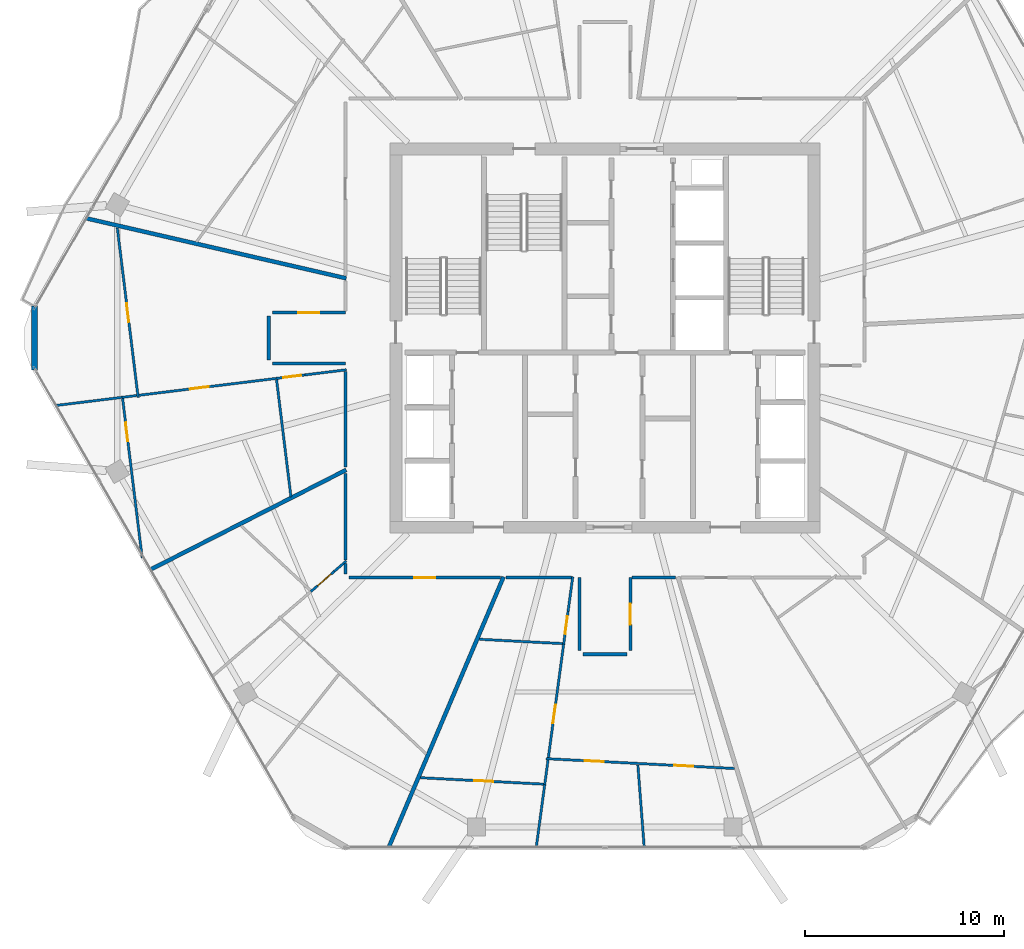
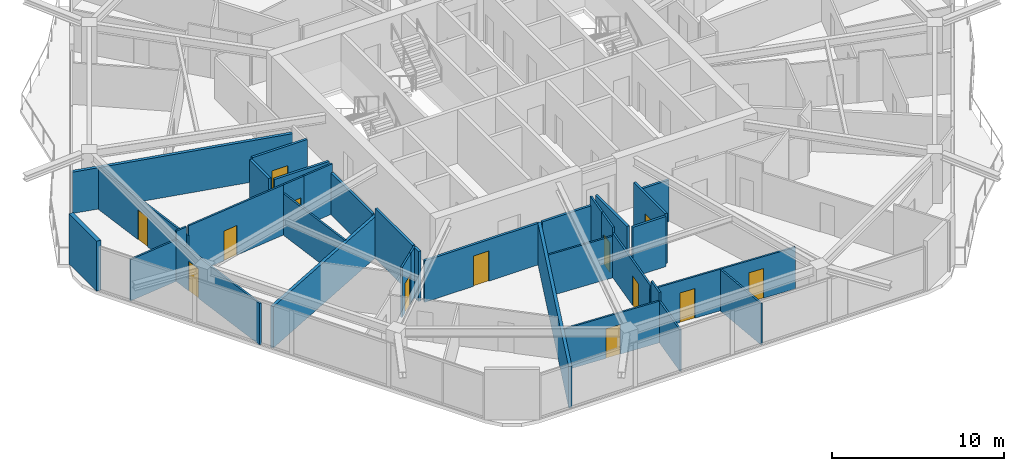
# One storey, part 18 of 25: 35 walls, 13 doors, 13 openings.
"""IFC4 building model written with IfcOpenShell, lengths in metres."""

from ifc_helpers import new_model, si_unit, direction, frame, frame_2d, origin, place, context, subcontext, project, spatial, rectangle, extrude, material, layer, layer_set, type_object, element, fill, save


model = new_model("IFC4")

# Units and contexts
model_context = context("Model", 3, precision=1e-05, world=origin(), true_north=direction((0.0, 1.0)))
body_context = subcontext(model_context, "Body", "Model", "MODEL_VIEW")
ifc_project = project(units=[si_unit("LENGTHUNIT", "METRE"), si_unit("AREAUNIT", "SQUARE_METRE"), si_unit("VOLUMEUNIT", "CUBIC_METRE"), si_unit("PLANEANGLEUNIT", "RADIAN"), si_unit("MASSUNIT", "GRAM", prefix="KILO")], contexts=[model_context])

# Site, building, storey
site_placement = place(None, origin())
site = spatial("IfcSite", under=ifc_project, at=site_placement, CompositionType="ELEMENT")
building_placement = place(site_placement, origin())
building = spatial("IfcBuilding", under=site, at=building_placement, Name="Zuhravey Tower", CompositionType="ELEMENT")
storey_placement = place(building_placement, frame((0.0, 0.0, 257.800048828125)))
storey = spatial("IfcBuildingStorey", under=building, at=storey_placement, Name="L65", CompositionType="ELEMENT", Elevation=257.800048828125)

# Wall, opening, door
ifc_material_1 = material(Name="Gypsum fire-rated stud partition")
ifc_layer_1 = layer(ifc_material_1, 0.159912109375)
ifc_layer_set_1 = layer_set([ifc_layer_1], Name="Gypsum fire-rated stud partition")
wall_type_1 = type_object("IfcWallType", Name="Corridor Fire Partition 160", PredefinedType="PARTITIONING", material=ifc_layer_set_1)
wall_1_placement = place(storey_placement, frame((22.969970703125, 33.280029296875, 0.0), z_axis=(0.0, 0.0, 1.0), x_axis=(-1.0, 0.0, 0.0)))
wall_1 = element("IfcWall", 1, at=wall_1_placement, inside=storey, type_object=wall_type_1, Name="L65 IW16 Partition 030", PredefinedType="PARTITIONING", context=body_context, shape_type="SweptSolid", body=[
    extrude(rectangle(XDim=3.669921875, YDim=0.159912109375, at=frame_2d((1.8349609375, 0.0))), origin(), (0.0, 0.0, 1.0), 3.550048828125),
])
opening_1_placement = place(wall_1_placement, frame((1.31005859375, 0.0, 0.0)))
opening_1 = element("IfcOpeningElement", 2, at=opening_1_placement, cuts=wall_1, Name="Opening APD1", PredefinedType="OPENING", context=body_context, shape_type="SweptSolid", body=[
    extrude(rectangle(XDim=1.050048828125, YDim=2.14990234375, at=frame_2d((0.52490234375, 1.074951171875))), frame((0.0, 0.092041015625, 0.0), z_axis=(0.0, -1.0, 0.0), x_axis=(1.0, 0.0, 0.0)), (0.0, 0.0, 1.0), 0.183837890625),
])
ifc_material_2 = material(Name="Solid-core oak fire-rated leaf")
door_type_1 = type_object("IfcDoorType", Name="Apartment Entrance Fire Door 1050x2150", OperationType="NOTDEFINED", PredefinedType="DOOR", material=ifc_material_2)
door_1_placement = place(opening_1_placement, origin())
door_1 = element("IfcDoor", 3, at=door_1_placement, inside=storey, type_object=door_type_1, Name="L65 Door 030.1", OperationType="SINGLE_SWING_RIGHT", OverallHeight=2.14990234375, OverallWidth=1.050048828125, PredefinedType="DOOR", context=body_context, shape_type="SweptSolid", body=[
    extrude(rectangle(XDim=1.050048828125, YDim=2.14990234375, at=frame_2d((0.52490234375, 1.074951171875))), frame((0.0, 0.02490234375, 0.0), z_axis=(0.0, -1.0, 0.0), x_axis=(1.0, 0.0, 0.0)), (0.0, 0.0, 1.0), 0.050048828125),
])
fill(opening_1, door_1)

wall_2_placement = place(storey_placement, frame((23.14990234375, 19.969970703125, 0.0), z_axis=(0.0, 0.0, 1.0), x_axis=(1.0, 0.0, 0.0)))
wall_2 = element("IfcWall", 4, at=wall_2_placement, inside=storey, type_object=wall_type_1, Name="L65 IW16 Partition 035", PredefinedType="PARTITIONING", context=body_context, shape_type="SweptSolid", body=[
    extrude(rectangle(XDim=7.597412109375, YDim=0.159912109375, at=frame_2d((3.798828125, 0.0))), origin(), (0.0, 0.0, 1.0), 2.949951171875),
])
opening_2_placement = place(wall_2_placement, frame((3.273681640625, 0.0, 0.0)))
opening_2 = element("IfcOpeningElement", 5, at=opening_2_placement, cuts=wall_2, Name="Opening APD1", PredefinedType="OPENING", context=body_context, shape_type="SweptSolid", body=[
    extrude(rectangle(XDim=1.050048828125, YDim=2.14990234375, at=frame_2d((0.52490234375, 1.074951171875))), frame((0.0, 0.092041015625, 0.0), z_axis=(0.0, -1.0, 0.0), x_axis=(1.0, 0.0, 0.0)), (0.0, 0.0, 1.0), 0.183837890625),
])
door_2_placement = place(opening_2_placement, frame((1.050048828125, 0.0, 0.0), z_axis=(0.0, 0.0, 1.0), x_axis=(-1.0, 0.0, 0.0)))
door_2 = element("IfcDoor", 6, at=door_2_placement, inside=storey, type_object=door_type_1, Name="L65 Door 035.1", OperationType="SINGLE_SWING_LEFT", OverallHeight=2.14990234375, OverallWidth=1.050048828125, PredefinedType="DOOR", context=body_context, shape_type="SweptSolid", body=[
    extrude(rectangle(XDim=1.050048828125, YDim=2.14990234375, at=frame_2d((0.52490234375, 1.074951171875))), frame((0.0, 0.02490234375, 0.0), z_axis=(0.0, -1.0, 0.0), x_axis=(1.0, 0.0, 0.0)), (0.0, 0.0, 1.0), 0.050048828125),
])
fill(opening_2, door_2)

wall_3_placement = place(storey_placement, frame((37.280029296875, 16.300048828125, 0.0), z_axis=(0.0, 0.0, 1.0), x_axis=(0.0, 1.0, 0.0)))
wall_3 = element("IfcWall", 7, at=wall_3_placement, inside=storey, type_object=wall_type_1, Name="L65 IW16 Partition 041", PredefinedType="PARTITIONING", context=body_context, shape_type="SweptSolid", body=[
    extrude(rectangle(XDim=3.669921875, YDim=0.159912109375, at=frame_2d((1.8349609375, 0.0))), origin(), (0.0, 0.0, 1.0), 3.550048828125),
])
opening_3_placement = place(wall_3_placement, frame((1.31005859375, 0.0, 0.0)))
opening_3 = element("IfcOpeningElement", 8, at=opening_3_placement, cuts=wall_3, Name="Opening APD1", PredefinedType="OPENING", context=body_context, shape_type="SweptSolid", body=[
    extrude(rectangle(XDim=1.050048828125, YDim=2.14990234375, at=frame_2d((0.52490234375, 1.074951171875))), frame((0.0, 0.092041015625, 0.0), z_axis=(0.0, -1.0, 0.0), x_axis=(1.0, 0.0, 0.0)), (0.0, 0.0, 1.0), 0.183837890625),
])
door_3_placement = place(opening_3_placement, frame((1.050048828125, 0.0, 0.0), z_axis=(0.0, 0.0, 1.0), x_axis=(-1.0, 0.0, 0.0)))
door_3 = element("IfcDoor", 9, at=door_3_placement, inside=storey, type_object=door_type_1, Name="L65 Door 041.1", OperationType="SINGLE_SWING_LEFT", OverallHeight=2.14990234375, OverallWidth=1.050048828125, PredefinedType="DOOR", context=body_context, shape_type="SweptSolid", body=[
    extrude(rectangle(XDim=1.050048828125, YDim=2.14990234375, at=frame_2d((0.52490234375, 1.074951171875))), frame((0.0, 0.02490234375, 0.0), z_axis=(0.0, -1.0, 0.0), x_axis=(1.0, 0.0, 0.0)), (0.0, 0.0, 1.0), 0.050048828125),
])
fill(opening_3, door_3)

# Walls
wall_4_placement = place(storey_placement, frame((19.300048828125, 30.719970703125, 0.0), z_axis=(0.0, 0.0, 1.0), x_axis=(1.0, 0.0, 0.0)))
element("IfcWall", 10, at=wall_4_placement, inside=storey, type_object=wall_type_1, Name="L65 IW16 Partition 105", PredefinedType="PARTITIONING", context=body_context, shape_type="SweptSolid", body=[
    extrude(rectangle(XDim=3.669921875, YDim=0.159912109375, at=frame_2d((1.8349609375, 0.0))), origin(), (0.0, 0.0, 1.0), 3.550048828125),
])
wall_5_placement = place(storey_placement, frame((19.1201171875, 33.10009765625, 0.0), z_axis=(0.0, 0.0, 1.0), x_axis=(0.0, -1.0, 0.0)))
element("IfcWall", 11, at=wall_5_placement, inside=storey, type_object=wall_type_1, Name="L65 IW16 Partition 106", PredefinedType="PARTITIONING", context=body_context, shape_type="SweptSolid", body=[
    extrude(rectangle(XDim=2.2001953125, YDim=0.159912109375, at=frame_2d((1.10009765625, 0.0))), origin(), (0.0, 0.0, 1.0), 3.550048828125),
])
wall_6_placement = place(storey_placement, frame((22.969970703125, 30.33154296875, 0.0), z_axis=(0.0, 0.0, 1.0), x_axis=(0.0, -1.0, 0.0)))
element("IfcWall", 12, at=wall_6_placement, inside=storey, type_object=wall_type_1, Name="L65 IW16 Partition 108", PredefinedType="PARTITIONING", context=body_context, shape_type="SweptSolid", body=[
    extrude(rectangle(XDim=4.8056640625, YDim=0.159912109375, at=frame_2d((2.40283203125, 0.0))), origin(), (0.0, 0.0, 1.0), 2.949951171875),
])
wall_7_placement = place(storey_placement, frame((22.969970703125, 20.678955078125, 0.0), z_axis=(0.0, 0.0, 1.0), x_axis=(0.0, -1.0, 0.0)))
element("IfcWall", 13, at=wall_7_placement, inside=storey, type_object=wall_type_1, Name="L65 IW16 Partition 109", PredefinedType="PARTITIONING", context=body_context, shape_type="SweptSolid", body=[
    extrude(rectangle(XDim=0.529052734375, YDim=0.159912109375, at=frame_2d((0.2646484375, 0.0))), origin(), (0.0, 0.0, 1.0), 3.550048828125),
])
wall_8_placement = place(storey_placement, frame((22.969970703125, 25.194580078125, 0.0), z_axis=(0.0, 0.0, 1.0), x_axis=(0.0, -1.0, 0.0)))
element("IfcWall", 14, at=wall_8_placement, inside=storey, type_object=wall_type_1, Name="L65 IW16 Partition 110", PredefinedType="PARTITIONING", context=body_context, shape_type="SweptSolid", body=[
    extrude(rectangle(XDim=4.336181640625, YDim=0.159912109375, at=frame_2d((2.16796875, 0.0))), origin(), (0.0, 0.0, 1.0), 3.550048828125),
])
wall_9_placement = place(storey_placement, frame((34.719970703125, 19.969970703125, 0.0), z_axis=(0.0, 0.0, 1.0), x_axis=(0.0, -1.0, 0.0)))
element("IfcWall", 15, at=wall_9_placement, inside=storey, type_object=wall_type_1, Name="L65 IW16 Partition 111", PredefinedType="PARTITIONING", context=body_context, shape_type="SweptSolid", body=[
    extrude(rectangle(XDim=3.669921875, YDim=0.159912109375, at=frame_2d((1.8349609375, 0.0))), origin(), (0.0, 0.0, 1.0), 3.550048828125),
])
wall_10_placement = place(storey_placement, frame((37.367919921875, 19.969970703125, 0.0), z_axis=(0.0, 0.0, 1.0), x_axis=(1.0, 0.0, 0.0)))
element("IfcWall", 16, at=wall_10_placement, inside=storey, type_object=wall_type_1, Name="L65 IW16 Partition 112", PredefinedType="PARTITIONING", context=body_context, shape_type="SweptSolid", body=[
    extrude(rectangle(XDim=2.174560546875, YDim=0.159912109375, at=frame_2d((1.08740234375, 0.0))), origin(), (0.0, 0.0, 1.0), 2.949951171875),
])
wall_11_placement = place(storey_placement, frame((34.89990234375, 16.1201171875, 0.0), z_axis=(0.0, 0.0, 1.0), x_axis=(1.0, 0.0, 0.0)))
element("IfcWall", 17, at=wall_11_placement, inside=storey, type_object=wall_type_1, Name="L65 IW16 Partition 113", PredefinedType="PARTITIONING", context=body_context, shape_type="SweptSolid", body=[
    extrude(rectangle(XDim=2.2001953125, YDim=0.159912109375, at=frame_2d((1.10009765625, 0.0))), origin(), (0.0, 0.0, 1.0), 3.550048828125),
])
wall_12_placement = place(storey_placement, frame((31.038818359375, 19.969970703125, 0.0), z_axis=(0.0, 0.0, 1.0), x_axis=(1.0, 0.0, 0.0)))
element("IfcWall", 18, at=wall_12_placement, inside=storey, type_object=wall_type_1, Name="L65 IW16 Partition 114", PredefinedType="PARTITIONING", context=body_context, shape_type="SweptSolid", body=[
    extrude(rectangle(XDim=3.270263671875, YDim=0.159912109375, at=frame_2d((1.63525390625, 0.0))), origin(), (0.0, 0.0, 1.0), 2.949951171875),
])
ifc_material_3 = material(Name="Precast concrete C40/50", Category="concrete")
ifc_layer_2 = layer(ifc_material_3, 0.280029296875)
ifc_layer_set_2 = layer_set([ifc_layer_2], Name="Precast concrete C40/50")
wall_type_2 = type_object("IfcWallType", Name="Crown Architectural Wall 280", PredefinedType="SOLIDWALL", material=ifc_layer_set_2)
wall_13_placement = place(storey_placement, frame((7.35498046875, 30.392578125, 0.0), z_axis=(0.0, 0.0, 1.0), x_axis=(0.0, 1.0, 0.0)))
element("IfcWall", 19, at=wall_13_placement, inside=storey, type_object=wall_type_2, Name="L65 Rounded Corner Closure Wall EW28-06", PredefinedType="SOLIDWALL", context=body_context, shape_type="SweptSolid", body=[
    extrude(rectangle(XDim=3.21484375, YDim=0.280029296875, at=frame_2d((1.607421875, 0.0))), origin(), (0.0, 0.0, 1.0), 3.550048828125),
])
ifc_material_4 = material(Name="Gypsum double-stud party assembly")
ifc_layer_3 = layer(ifc_material_4, 0.199951171875)
ifc_layer_set_3 = layer_set([ifc_layer_3], Name="Gypsum double-stud party assembly")
wall_type_3 = type_object("IfcWallType", Name="Inter-Tenancy Party Wall 200", PredefinedType="PARTITIONING", material=ifc_layer_set_3)
wall_14_placement = place(storey_placement, frame((23.010009765625, 34.9990234375, 0.0), z_axis=(0.0, 0.0, 1.0), x_axis=(-0.974372460803, 0.224940675799, 0.0)))
element("IfcWall", 20, at=wall_14_placement, inside=storey, type_object=wall_type_3, Name="L65 IW20 Partition 071", PredefinedType="PARTITIONING", context=body_context, shape_type="SweptSolid", body=[
    extrude(rectangle(XDim=13.39990234375, YDim=0.199951171875, at=frame_2d((6.699951171875, 0.0))), origin(), (0.0, 0.0, 1.0), 2.929931640625),
])
wall_15_placement = place(storey_placement, frame((23.010009765625, 25.38134765625, 0.0), z_axis=(0.0, 0.0, 1.0), x_axis=(-0.891002805017, -0.453997798951, 0.0)))
element("IfcWall", 21, at=wall_15_placement, inside=storey, type_object=wall_type_3, Name="L65 IW20 Partition 075", PredefinedType="PARTITIONING", context=body_context, shape_type="SweptSolid", body=[
    extrude(rectangle(XDim=11.019775390625, YDim=0.199951171875, at=frame_2d((5.509765625, 0.0))), origin(), (0.0, 0.0, 1.0), 2.929931640625),
])
wall_16_placement = place(storey_placement, frame((30.910400390625, 20.010009765625, 0.0), z_axis=(0.0, 0.0, 1.0), x_axis=(-0.390717789384, -0.920510515453, 0.0)))
element("IfcWall", 22, at=wall_16_placement, inside=storey, type_object=wall_type_3, Name="L65 IW20 Partition 079", PredefinedType="PARTITIONING", context=body_context, shape_type="SweptSolid", body=[
    extrude(rectangle(XDim=14.745849609375, YDim=0.199951171875, at=frame_2d((7.373046875, 0.0))), origin(), (0.0, 0.0, 1.0), 2.929931640625),
])

# Wall, opening, door
ifc_material_5 = material(Name="Gypsum metal-stud partition")
ifc_layer_4 = layer(ifc_material_5, 0.1201171875)
ifc_layer_set_4 = layer_set([ifc_layer_4], Name="Gypsum metal-stud partition")
wall_type_4 = type_object("IfcWallType", Name="Unit Internal Partition 120", PredefinedType="PARTITIONING", material=ifc_layer_set_4)
wall_17_placement = place(storey_placement, frame((11.512939453125, 37.531005859375, 0.0), z_axis=(0.0, 0.0, 1.0), x_axis=(0.121872108215, -0.992545812161, 0.0)))
wall_17 = element("IfcWall", 23, at=wall_17_placement, inside=storey, type_object=wall_type_4, Name="L65 IW12 Partition 025", PredefinedType="PARTITIONING", context=body_context, shape_type="SweptSolid", body=[
    extrude(rectangle(XDim=8.573974609375, YDim=0.1201171875, at=frame_2d((4.287109375, 0.0))), origin(), (0.0, 0.0, 1.0), 2.929931640625),
])
opening_4_placement = place(wall_17_placement, frame((3.81201171875, 0.0, 0.0)))
opening_4 = element("IfcOpeningElement", 24, at=opening_4_placement, cuts=wall_17, Name="Opening IND1", PredefinedType="OPENING", context=body_context, shape_type="SweptSolid", body=[
    extrude(rectangle(XDim=0.949951171875, YDim=2.10009765625, at=frame_2d((0.47509765625, 1.050048828125))), frame((0.0, 0.072021484375, 0.0), z_axis=(0.0, -1.0, 0.0), x_axis=(1.0, 0.0, 0.0)), (0.0, 0.0, 1.0), 0.14404296875),
])
ifc_material_6 = material(Name="Painted engineered timber leaf", Category="wood")
door_type_2 = type_object("IfcDoorType", Name="Internal Room & Bedroom Door 950x2100", OperationType="NOTDEFINED", PredefinedType="DOOR", material=ifc_material_6)
door_4_placement = place(opening_4_placement, frame((0.949951171875, 0.0, 0.0), z_axis=(0.0, 0.0, 1.0), x_axis=(-1.0, 0.0, 0.0)))
door_4 = element("IfcDoor", 25, at=door_4_placement, inside=storey, type_object=door_type_2, Name="Apartment L65-02 Family Study Door", OperationType="SINGLE_SWING_RIGHT", OverallHeight=2.10009765625, OverallWidth=0.949951171875, PredefinedType="DOOR", context=body_context, shape_type="SweptSolid", body=[
    extrude(rectangle(XDim=0.949951171875, YDim=2.10009765625, at=frame_2d((0.47509765625, 1.050048828125))), frame((0.0, 0.02490234375, 0.0), z_axis=(0.0, -1.0, 0.0), x_axis=(1.0, 0.0, 0.0)), (0.0, 0.0, 1.0), 0.050048828125),
])
fill(opening_4, door_4)

wall_18_placement = place(storey_placement, frame((20.932861328125, 30.14990234375, 0.0), z_axis=(0.0, 0.0, 1.0), x_axis=(-0.992546988371, -0.121862528596, 0.0)))
wall_18 = element("IfcWall", 26, at=wall_18_placement, inside=storey, type_object=wall_type_4, Name="L65 IW12 Partition 026", PredefinedType="PARTITIONING", context=body_context, shape_type="SweptSolid", body=[
    extrude(rectangle(XDim=1.466552734375, YDim=0.1201171875, at=frame_2d((0.7333984375, 0.0))), origin(), (0.0, 0.0, 1.0), 3.550048828125),
])
opening_5_placement = place(wall_18_placement, frame((0.199951171875, 0.0, 0.0)))
opening_5 = element("IfcOpeningElement", 27, at=opening_5_placement, cuts=wall_18, Name="Opening WCD1", PredefinedType="OPENING", context=body_context, shape_type="SweptSolid", body=[
    extrude(rectangle(XDim=0.89990234375, YDim=2.10009765625, at=frame_2d((0.449951171875, 1.050048828125))), frame((0.0, 0.072021484375, 0.0), z_axis=(0.0, -1.0, 0.0), x_axis=(1.0, 0.0, 0.0)), (0.0, 0.0, 1.0), 0.14404296875),
])
ifc_material_7 = material(Name="Moisture-resistant timber leaf", Category="wood")
door_type_3 = type_object("IfcDoorType", Name="Bathroom & WC Internal Door 900x2100", OperationType="NOTDEFINED", PredefinedType="DOOR", material=ifc_material_7)
door_5_placement = place(opening_5_placement, origin())
door_5 = element("IfcDoor", 28, at=door_5_placement, inside=storey, type_object=door_type_3, Name="Apartment L65-02 Bathroom Door", OperationType="SINGLE_SWING_LEFT", OverallHeight=2.10009765625, OverallWidth=0.89990234375, PredefinedType="DOOR", context=body_context, shape_type="SweptSolid", body=[
    extrude(rectangle(XDim=0.89990234375, YDim=2.10009765625, at=frame_2d((0.449951171875, 1.050048828125))), frame((0.0, 0.02490234375, 0.0), z_axis=(0.0, -1.0, 0.0), x_axis=(1.0, 0.0, 0.0)), (0.0, 0.0, 1.0), 0.050048828125),
])
fill(opening_5, door_5)

wall_19_placement = place(storey_placement, frame((19.477294921875, 29.97119140625, 0.0), z_axis=(0.0, 0.0, 1.0), x_axis=(-0.992546527123, -0.121866285315, 0.0)))
wall_19 = element("IfcWall", 29, at=wall_19_placement, inside=storey, type_object=wall_type_4, Name="L65 IW12 Partition 027", PredefinedType="PARTITIONING", context=body_context, shape_type="SweptSolid", body=[
    extrude(rectangle(XDim=6.91552734375, YDim=0.1201171875, at=frame_2d((3.457763671875, 0.0))), origin(), (0.0, 0.0, 1.0), 3.550048828125),
])
opening_6_placement = place(wall_19_placement, frame((3.394775390625, 0.0, 0.0)))
opening_6 = element("IfcOpeningElement", 30, at=opening_6_placement, cuts=wall_19, Name="Opening IND1", PredefinedType="OPENING", context=body_context, shape_type="SweptSolid", body=[
    extrude(rectangle(XDim=0.949951171875, YDim=2.10009765625, at=frame_2d((0.47509765625, 1.050048828125))), frame((0.0, 0.072021484375, 0.0), z_axis=(0.0, -1.0, 0.0), x_axis=(1.0, 0.0, 0.0)), (0.0, 0.0, 1.0), 0.14404296875),
])
door_6_placement = place(opening_6_placement, origin())
door_6 = element("IfcDoor", 31, at=door_6_placement, inside=storey, type_object=door_type_2, Name="Apartment L65-02 Home Office Door", OperationType="SINGLE_SWING_RIGHT", OverallHeight=2.10009765625, OverallWidth=0.949951171875, PredefinedType="DOOR", context=body_context, shape_type="SweptSolid", body=[
    extrude(rectangle(XDim=0.949951171875, YDim=2.10009765625, at=frame_2d((0.47509765625, 1.050048828125))), frame((0.0, 0.02490234375, 0.0), z_axis=(0.0, -1.0, 0.0), x_axis=(1.0, 0.0, 0.0)), (0.0, 0.0, 1.0), 0.050048828125),
])
fill(opening_6, door_6)

# Wall
wall_20_placement = place(storey_placement, frame((12.478271484375, 29.11181640625, 0.0), z_axis=(0.0, 0.0, 1.0), x_axis=(-0.992560299451, -0.121754063399, 0.0)))
element("IfcWall", 32, at=wall_20_placement, inside=storey, type_object=wall_type_4, Name="L65 IW12 Partition 028", PredefinedType="PARTITIONING", context=body_context, shape_type="SweptSolid", body=[
    extrude(rectangle(XDim=0.73779296875, YDim=0.1201171875, at=frame_2d((0.368896484375, 0.0))), origin(), (0.0, 0.0, 1.0), 3.550048828125),
])

# Wall, opening, door
wall_21_placement = place(storey_placement, frame((11.779052734375, 28.95751953125, 0.0), z_axis=(0.0, 0.0, 1.0), x_axis=(0.121881345425, -0.992544677905, 0.0)))
wall_21 = element("IfcWall", 33, at=wall_21_placement, inside=storey, type_object=wall_type_4, Name="L65 IW12 Partition 029", PredefinedType="PARTITIONING", context=body_context, shape_type="SweptSolid", body=[
    extrude(rectangle(XDim=8.052490234375, YDim=0.1201171875, at=frame_2d((4.0263671875, 0.0))), origin(), (0.0, 0.0, 1.0), 2.929931640625),
])
opening_7_placement = place(wall_21_placement, frame((1.209228515625, 0.0, 0.0)))
opening_7 = element("IfcOpeningElement", 34, at=opening_7_placement, cuts=wall_21, Name="Opening IND1", PredefinedType="OPENING", context=body_context, shape_type="SweptSolid", body=[
    extrude(rectangle(XDim=0.949951171875, YDim=2.10009765625, at=frame_2d((0.47509765625, 1.050048828125))), frame((0.0, 0.072021484375, 0.0), z_axis=(0.0, -1.0, 0.0), x_axis=(1.0, 0.0, 0.0)), (0.0, 0.0, 1.0), 0.14404296875),
])
door_7_placement = place(opening_7_placement, frame((0.949951171875, 0.0, 0.0), z_axis=(0.0, 0.0, 1.0), x_axis=(-1.0, 0.0, 0.0)))
door_7 = element("IfcDoor", 35, at=door_7_placement, inside=storey, type_object=door_type_2, Name="Apartment L65-02 Bedroom 1 Door", OperationType="SINGLE_SWING_LEFT", OverallHeight=2.10009765625, OverallWidth=0.949951171875, PredefinedType="DOOR", context=body_context, shape_type="SweptSolid", body=[
    extrude(rectangle(XDim=0.949951171875, YDim=2.10009765625, at=frame_2d((0.47509765625, 1.050048828125))), frame((0.0, 0.02490234375, 0.0), z_axis=(0.0, -1.0, 0.0), x_axis=(1.0, 0.0, 0.0)), (0.0, 0.0, 1.0), 0.050048828125),
])
fill(opening_7, door_7)

wall_22_placement = place(storey_placement, frame((22.39990234375, 20.27734375, 0.0), z_axis=(0.0, 0.0, 1.0), x_axis=(-0.757453187735, -0.652889476397, 0.0)))
wall_22 = element("IfcWall", 36, at=wall_22_placement, inside=storey, type_object=wall_type_4, Name="L65 IW12 Partition 032", PredefinedType="PARTITIONING", context=body_context, shape_type="SweptSolid", body=[
    extrude(rectangle(XDim=1.541015625, YDim=0.1201171875, at=frame_2d((0.7705078125, 0.0))), origin(), (0.0, 0.0, 1.0), 3.550048828125),
])
opening_8_placement = place(wall_22_placement, frame((0.199951171875, 0.0, 0.0)))
opening_8 = element("IfcOpeningElement", 37, at=opening_8_placement, cuts=wall_22, Name="Opening WCD1", PredefinedType="OPENING", context=body_context, shape_type="SweptSolid", body=[
    extrude(rectangle(XDim=0.89990234375, YDim=2.10009765625, at=frame_2d((0.449951171875, 1.050048828125))), frame((0.0, 0.072021484375, 0.0), z_axis=(0.0, -1.0, 0.0), x_axis=(1.0, 0.0, 0.0)), (0.0, 0.0, 1.0), 0.14404296875),
])
door_8_placement = place(opening_8_placement, frame((0.89990234375, 0.0, 0.0), z_axis=(0.0, 0.0, 1.0), x_axis=(-1.0, 0.0, 0.0)))
door_8 = element("IfcDoor", 38, at=door_8_placement, inside=storey, type_object=door_type_3, Name="Apartment L65-03 Bathroom Door", OperationType="SINGLE_SWING_LEFT", OverallHeight=2.10009765625, OverallWidth=0.89990234375, PredefinedType="DOOR", context=body_context, shape_type="SweptSolid", body=[
    extrude(rectangle(XDim=0.89990234375, YDim=2.10009765625, at=frame_2d((0.449951171875, 1.050048828125))), frame((0.0, 0.02490234375, 0.0), z_axis=(0.0, -1.0, 0.0), x_axis=(1.0, 0.0, 0.0)), (0.0, 0.0, 1.0), 0.050048828125),
])
fill(opening_8, door_8)

# Wall, openings, doors
wall_23_placement = place(storey_placement, frame((33.05078125, 10.878662109375, 0.0), z_axis=(0.0, 0.0, 1.0), x_axis=(0.998629555411, -0.052335562088, 0.0)))
wall_23 = element("IfcWall", 39, at=wall_23_placement, inside=storey, type_object=wall_type_4, Name="L65 IW12 Partition 036", PredefinedType="PARTITIONING", context=body_context, shape_type="SweptSolid", body=[
    extrude(rectangle(XDim=9.4697265625, YDim=0.1201171875, at=frame_2d((4.73486328125, 0.0))), origin(), (0.0, 0.0, 1.0), 2.949951171875),
])
opening_9_placement = place(wall_23_placement, frame((1.947509765625, 0.0, 0.0)))
opening_9 = element("IfcOpeningElement", 40, at=opening_9_placement, cuts=wall_23, Name="Opening IND1", PredefinedType="OPENING", context=body_context, shape_type="SweptSolid", body=[
    extrude(rectangle(XDim=0.949951171875, YDim=2.10009765625, at=frame_2d((0.47509765625, 1.050048828125))), frame((0.0, 0.072021484375, 0.0), z_axis=(0.0, -1.0, 0.0), x_axis=(1.0, 0.0, 0.0)), (0.0, 0.0, 1.0), 0.14404296875),
])
opening_10_placement = place(wall_23_placement, frame((6.44140625, 0.0, 0.0)))
opening_10 = element("IfcOpeningElement", 41, at=opening_10_placement, cuts=wall_23, Name="Opening IND1", PredefinedType="OPENING", context=body_context, shape_type="SweptSolid", body=[
    extrude(rectangle(XDim=0.949951171875, YDim=2.10009765625, at=frame_2d((0.47509765625, 1.050048828125))), frame((0.0, 0.072021484375, 0.0), z_axis=(0.0, -1.0, 0.0), x_axis=(1.0, 0.0, 0.0)), (0.0, 0.0, 1.0), 0.14404296875),
])
door_9_placement = place(opening_9_placement, frame((0.949951171875, 0.0, 0.0), z_axis=(0.0, 0.0, 1.0), x_axis=(-1.0, 0.0, 0.0)))
door_9 = element("IfcDoor", 42, at=door_9_placement, inside=storey, type_object=door_type_2, Name="Apartment L65-04 Family Study Door", OperationType="SINGLE_SWING_RIGHT", OverallHeight=2.10009765625, OverallWidth=0.949951171875, PredefinedType="DOOR", context=body_context, shape_type="SweptSolid", body=[
    extrude(rectangle(XDim=0.949951171875, YDim=2.10009765625, at=frame_2d((0.47509765625, 1.050048828125))), frame((0.0, 0.02490234375, 0.0), z_axis=(0.0, -1.0, 0.0), x_axis=(1.0, 0.0, 0.0)), (0.0, 0.0, 1.0), 0.050048828125),
])
fill(opening_9, door_9)
door_10_placement = place(opening_10_placement, frame((0.949951171875, 0.0, 0.0), z_axis=(0.0, 0.0, 1.0), x_axis=(-1.0, 0.0, 0.0)))
door_10 = element("IfcDoor", 43, at=door_10_placement, inside=storey, type_object=door_type_2, Name="Apartment L65-04 Dining Room Door", OperationType="SINGLE_SWING_LEFT", OverallHeight=2.10009765625, OverallWidth=0.949951171875, PredefinedType="DOOR", context=body_context, shape_type="SweptSolid", body=[
    extrude(rectangle(XDim=0.949951171875, YDim=2.10009765625, at=frame_2d((0.47509765625, 1.050048828125))), frame((0.0, 0.02490234375, 0.0), z_axis=(0.0, -1.0, 0.0), x_axis=(1.0, 0.0, 0.0)), (0.0, 0.0, 1.0), 0.050048828125),
])
fill(opening_10, door_10)

# Wall, opening, door
wall_24_placement = place(storey_placement, frame((34.14990234375, 18.281005859375, 0.0), z_axis=(0.0, 0.0, 1.0), x_axis=(-0.133630411979, -0.991031237144, 0.0)))
wall_24 = element("IfcWall", 44, at=wall_24_placement, inside=storey, type_object=wall_type_4, Name="L65 IW12 Partition 037", PredefinedType="PARTITIONING", context=body_context, shape_type="SweptSolid", body=[
    extrude(rectangle(XDim=1.66796875, YDim=0.1201171875, at=frame_2d((0.833984375, 0.0))), origin(), (0.0, 0.0, 1.0), 3.550048828125),
])
opening_11_placement = place(wall_24_placement, frame((0.25048828125, 0.0, 0.0)))
opening_11 = element("IfcOpeningElement", 45, at=opening_11_placement, cuts=wall_24, Name="Opening WCD1", PredefinedType="OPENING", context=body_context, shape_type="SweptSolid", body=[
    extrude(rectangle(XDim=0.89990234375, YDim=2.10009765625, at=frame_2d((0.449951171875, 1.050048828125))), frame((0.0, 0.072021484375, 0.0), z_axis=(0.0, -1.0, 0.0), x_axis=(1.0, 0.0, 0.0)), (0.0, 0.0, 1.0), 0.14404296875),
])
door_11_placement = place(opening_11_placement, frame((0.89990234375, 0.0, 0.0), z_axis=(0.0, 0.0, 1.0), x_axis=(-1.0, 0.0, 0.0)))
door_11 = element("IfcDoor", 46, at=door_11_placement, inside=storey, type_object=door_type_3, Name="Apartment L65-04 Bathroom Door", OperationType="SINGLE_SWING_RIGHT", OverallHeight=2.10009765625, OverallWidth=0.89990234375, PredefinedType="DOOR", context=body_context, shape_type="SweptSolid", body=[
    extrude(rectangle(XDim=0.89990234375, YDim=2.10009765625, at=frame_2d((0.449951171875, 1.050048828125))), frame((0.0, 0.02490234375, 0.0), z_axis=(0.0, -1.0, 0.0), x_axis=(1.0, 0.0, 0.0)), (0.0, 0.0, 1.0), 0.050048828125),
])
fill(opening_11, door_11)

wall_25_placement = place(storey_placement, frame((33.927001953125, 16.6279296875, 0.0), z_axis=(0.0, 0.0, 1.0), x_axis=(-0.133632195437, -0.991030996661, 0.0)))
wall_25 = element("IfcWall", 47, at=wall_25_placement, inside=storey, type_object=wall_type_4, Name="L65 IW12 Partition 038", PredefinedType="PARTITIONING", context=body_context, shape_type="SweptSolid", body=[
    extrude(rectangle(XDim=5.738525390625, YDim=0.1201171875, at=frame_2d((2.869140625, 0.0))), origin(), (0.0, 0.0, 1.0), 3.14990234375),
])
opening_12_placement = place(wall_25_placement, frame((3.060791015625, 0.0, 0.0)))
opening_12 = element("IfcOpeningElement", 48, at=opening_12_placement, cuts=wall_25, Name="Opening IND1", PredefinedType="OPENING", context=body_context, shape_type="SweptSolid", body=[
    extrude(rectangle(XDim=0.949951171875, YDim=2.10009765625, at=frame_2d((0.47509765625, 1.050048828125))), frame((0.0, 0.072021484375, 0.0), z_axis=(0.0, -1.0, 0.0), x_axis=(1.0, 0.0, 0.0)), (0.0, 0.0, 1.0), 0.14404296875),
])
door_12_placement = place(opening_12_placement, frame((0.949951171875, 0.0, 0.0), z_axis=(0.0, 0.0, 1.0), x_axis=(-1.0, 0.0, 0.0)))
door_12 = element("IfcDoor", 49, at=door_12_placement, inside=storey, type_object=door_type_2, Name="Apartment L65-04 Home Office Door", OperationType="SINGLE_SWING_LEFT", OverallHeight=2.10009765625, OverallWidth=0.949951171875, PredefinedType="DOOR", context=body_context, shape_type="SweptSolid", body=[
    extrude(rectangle(XDim=0.949951171875, YDim=2.10009765625, at=frame_2d((0.47509765625, 1.050048828125))), frame((0.0, 0.02490234375, 0.0), z_axis=(0.0, -1.0, 0.0), x_axis=(1.0, 0.0, 0.0)), (0.0, 0.0, 1.0), 0.050048828125),
])
fill(opening_12, door_12)

# Wall
wall_26_placement = place(storey_placement, frame((33.141845703125, 10.8056640625, 0.0), z_axis=(0.0, 0.0, 1.0), x_axis=(-0.133574786173, -0.991038736124, 0.0)))
element("IfcWall", 50, at=wall_26_placement, inside=storey, type_object=wall_type_4, Name="L65 IW12 Partition 039", PredefinedType="PARTITIONING", context=body_context, shape_type="SweptSolid", body=[
    extrude(rectangle(XDim=1.24658203125, YDim=0.1201171875, at=frame_2d((0.623291015625, 0.0))), origin(), (0.0, 0.0, 1.0), 3.550048828125),
])

# Wall, opening, door
wall_27_placement = place(storey_placement, frame((26.74658203125, 9.921630859375, 0.0), z_axis=(0.0, 0.0, 1.0), x_axis=(0.998629822512, -0.052330465211, 0.0)))
wall_27 = element("IfcWall", 51, at=wall_27_placement, inside=storey, type_object=wall_type_4, Name="L65 IW12 Partition 040", PredefinedType="PARTITIONING", context=body_context, shape_type="SweptSolid", body=[
    extrude(rectangle(XDim=6.17236328125, YDim=0.1201171875, at=frame_2d((3.086181640625, 0.0))), origin(), (0.0, 0.0, 1.0), 2.949951171875),
])
opening_13_placement = place(wall_27_placement, frame((2.695556640625, 0.0, 0.0)))
opening_13 = element("IfcOpeningElement", 52, at=opening_13_placement, cuts=wall_27, Name="Opening IND1", PredefinedType="OPENING", context=body_context, shape_type="SweptSolid", body=[
    extrude(rectangle(XDim=0.949951171875, YDim=2.10009765625, at=frame_2d((0.47509765625, 1.050048828125))), frame((0.0, 0.072021484375, 0.0), z_axis=(0.0, -1.0, 0.0), x_axis=(1.0, 0.0, 0.0)), (0.0, 0.0, 1.0), 0.14404296875),
])
door_13_placement = place(opening_13_placement, frame((0.949951171875, 0.0, 0.0), z_axis=(0.0, 0.0, 1.0), x_axis=(-1.0, 0.0, 0.0)))
door_13 = element("IfcDoor", 53, at=door_13_placement, inside=storey, type_object=door_type_2, Name="Apartment L65-04 Bedroom 1 Door", OperationType="SINGLE_SWING_RIGHT", OverallHeight=2.10009765625, OverallWidth=0.949951171875, PredefinedType="DOOR", context=body_context, shape_type="SweptSolid", body=[
    extrude(rectangle(XDim=0.949951171875, YDim=2.10009765625, at=frame_2d((0.47509765625, 1.050048828125))), frame((0.0, 0.02490234375, 0.0), z_axis=(0.0, -1.0, 0.0), x_axis=(1.0, 0.0, 0.0)), (0.0, 0.0, 1.0), 0.050048828125),
])
fill(opening_13, door_13)

# Walls
wall_28_placement = place(storey_placement, frame((23.014892578125, 30.405517578125, 0.0), z_axis=(0.0, 0.0, 1.0), x_axis=(-0.992547654216, -0.121857105296, 0.0)))
element("IfcWall", 54, at=wall_28_placement, inside=storey, type_object=wall_type_4, Name="L65 IW12 Partition 072", PredefinedType="PARTITIONING", context=body_context, shape_type="SweptSolid", body=[
    extrude(rectangle(XDim=2.09765625, YDim=0.1201171875, at=frame_2d((1.048828125, 0.0))), origin(), (0.0, 0.0, 1.0), 3.550048828125),
])
wall_29_placement = place(storey_placement, frame((11.745849609375, 29.02197265625, 0.0), z_axis=(0.0, 0.0, 1.0), x_axis=(-0.992540039765, -0.12191911033, 0.0)))
element("IfcWall", 55, at=wall_29_placement, inside=storey, type_object=wall_type_4, Name="L65 IW12 Partition 073", PredefinedType="PARTITIONING", context=body_context, shape_type="SweptSolid", body=[
    extrude(rectangle(XDim=3.338134765625, YDim=0.1201171875, at=frame_2d((1.6689453125, 0.0))), origin(), (0.0, 0.0, 1.0), 2.929931640625),
])
wall_30_placement = place(storey_placement, frame((19.510498046875, 29.906982421875, 0.0), z_axis=(0.0, 0.0, 1.0), x_axis=(0.121858538231, -0.99254747829, 0.0)))
element("IfcWall", 56, at=wall_30_placement, inside=storey, type_object=wall_type_4, Name="L65 IW12 Partition 074", PredefinedType="PARTITIONING", context=body_context, shape_type="SweptSolid", body=[
    extrude(rectangle(XDim=5.92431640625, YDim=0.1201171875, at=frame_2d((2.962158203125, 0.0))), origin(), (0.0, 0.0, 1.0), 2.949951171875),
])
wall_31_placement = place(storey_placement, frame((23.014892578125, 20.8076171875, 0.0), z_axis=(0.0, 0.0, 1.0), x_axis=(-0.757343305527, -0.653016935135, 0.0)))
element("IfcWall", 57, at=wall_31_placement, inside=storey, type_object=wall_type_4, Name="L65 IW12 Partition 077", PredefinedType="PARTITIONING", context=body_context, shape_type="SweptSolid", body=[
    extrude(rectangle(XDim=0.81201171875, YDim=0.1201171875, at=frame_2d((0.406005859375, 0.0))), origin(), (0.0, 0.0, 1.0), 3.550048828125),
])
wall_32_placement = place(storey_placement, frame((37.65283203125, 10.5693359375, 0.0), z_axis=(0.0, 0.0, 1.0), x_axis=(0.076893245037, -0.997039331655, 0.0)))
element("IfcWall", 58, at=wall_32_placement, inside=storey, type_object=wall_type_4, Name="L65 IW12 Partition 080", PredefinedType="PARTITIONING", context=body_context, shape_type="SweptSolid", body=[
    extrude(rectangle(XDim=4.17529296875, YDim=0.1201171875, at=frame_2d((2.087646484375, 0.0))), origin(), (0.0, 0.0, 1.0), 2.929931640625),
])
wall_33_placement = place(storey_placement, frame((34.3837890625, 20.014892578125, 0.0), z_axis=(0.0, 0.0, 1.0), x_axis=(-0.133680851635, -0.991024434566, 0.0)))
element("IfcWall", 59, at=wall_33_placement, inside=storey, type_object=wall_type_4, Name="L65 IW12 Partition 081", PredefinedType="PARTITIONING", context=body_context, shape_type="SweptSolid", body=[
    extrude(rectangle(XDim=1.74951171875, YDim=0.1201171875, at=frame_2d((0.874755859375, 0.0))), origin(), (0.0, 0.0, 1.0), 3.550048828125),
])
wall_34_placement = place(storey_placement, frame((32.975341796875, 9.5703125, 0.0), z_axis=(0.0, 0.0, 1.0), x_axis=(-0.133658061731, -0.991027508465, 0.0)))
element("IfcWall", 60, at=wall_34_placement, inside=storey, type_object=wall_type_4, Name="L65 IW12 Partition 082", PredefinedType="PARTITIONING", context=body_context, shape_type="SweptSolid", body=[
    extrude(rectangle(XDim=3.167236328125, YDim=0.1201171875, at=frame_2d((1.58349609375, 0.0))), origin(), (0.0, 0.0, 1.0), 2.929931640625),
])
wall_35_placement = place(storey_placement, frame((29.697021484375, 16.874755859375, 0.0), z_axis=(0.0, 0.0, 1.0), x_axis=(0.998629929734, -0.052328419037, 0.0)))
element("IfcWall", 61, at=wall_35_placement, inside=storey, type_object=wall_type_4, Name="L65 IW12 Partition 083", PredefinedType="PARTITIONING", context=body_context, shape_type="SweptSolid", body=[
    extrude(rectangle(XDim=4.1708984375, YDim=0.1201171875, at=frame_2d((2.08544921875, 0.0))), origin(), (0.0, 0.0, 1.0), 2.949951171875),
])

save(model, "model.ifc")
